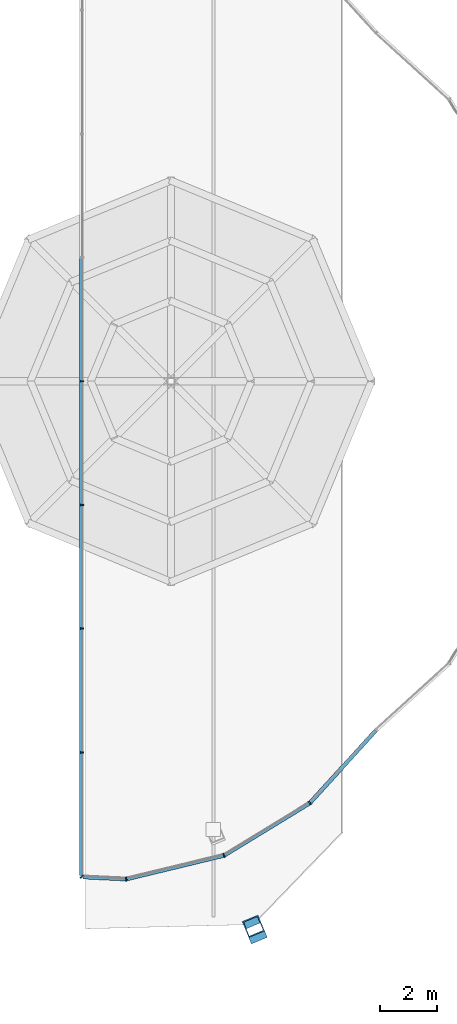
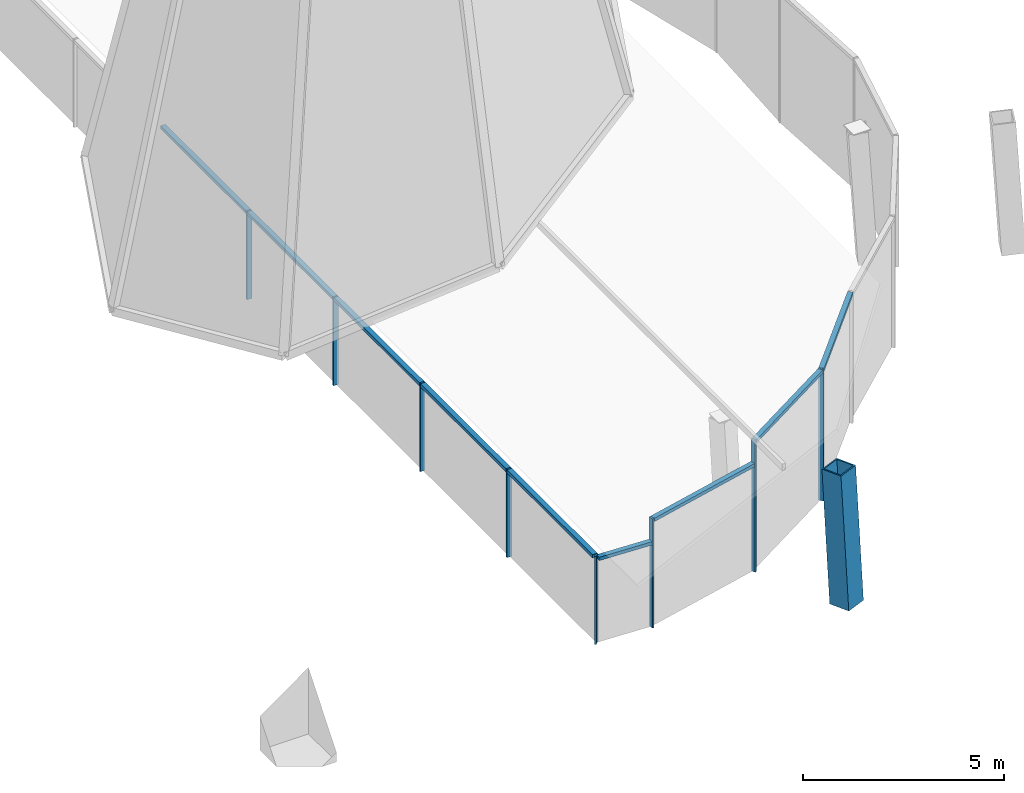
# One storey, part 2 of 16: 18 members, 2 elements without a shape of their own.
"""IFC4 building model written with IfcOpenShell, lengths in metres."""

from ifc_helpers import new_model, si_unit, direction, frame, origin, origin_2d, place, context, subcontext, project, spatial, rectangle, hollow_rectangle, extrude, material, material_profile, profile_set, type_object, element, aggregate, save


model = new_model("IFC4")

# Units and contexts
model_context = context("Model", 3, precision=1e-05, world=origin(), true_north=direction((0.0, 1.0)))
body_context = subcontext(model_context, "Body", "Model", "MODEL_VIEW")
ifc_project = project(units=[si_unit("LENGTHUNIT", "METRE"), si_unit("AREAUNIT", "SQUARE_METRE"), si_unit("VOLUMEUNIT", "CUBIC_METRE"), si_unit("PLANEANGLEUNIT", "RADIAN"), si_unit("MASSUNIT", "GRAM", prefix="KILO")], contexts=[model_context])

# Site, building, storey
site_placement = place(None, origin())
site = spatial("IfcSite", under=ifc_project, at=site_placement, CompositionType="ELEMENT")
building_placement = place(site_placement, origin())
building = spatial("IfcBuilding", under=site, at=building_placement, Name="Ogive Gate Towers", CompositionType="ELEMENT")
storey_placement = place(building_placement, frame((0.0, 0.0, 310.0)))
storey = spatial("IfcBuildingStorey", under=building, at=storey_placement, Name="L73", CompositionType="ELEMENT", Elevation=310.0)

# Curtain wall, member
ifc_material_1 = material(Name="Pale metal aluminium", Category="aluminium")
curtain_wall_type = type_object("IfcCurtainWallType", Name="Crown lean wall", PredefinedType="NOTDEFINED", material=ifc_material_1)
curtain_wall_1_placement = place(storey_placement, origin())
curtain_wall_1 = element("IfcCurtainWall", 1, at=curtain_wall_1_placement, inside=storey, type_object=curtain_wall_type, Name="CW5 T1 ECW02b", PredefinedType="NOTDEFINED")
ifc_material_profile_1 = material_profile(ifc_material_1, rectangle(XDim=0.139892578125, YDim=0.050048828125, at=origin_2d()), Name="50 x 140 aluminium box")
ifc_profile_set_1 = profile_set([ifc_material_profile_1], Name="Pale metal aluminium")
member_type_1 = type_object("IfcMemberType", Name="Crown lean wall mullion 50 x 140", PredefinedType="MULLION", material=ifc_profile_set_1)
member_1_placement = place(storey_placement, frame((-34.1181640625, 0.0, -0.300048828125), z_axis=(0.0, 0.0, 1.0), x_axis=(1.0, 0.0, 0.0)))
member_1 = element("IfcMember", 2, at=member_1_placement, type_object=member_type_1, Name="CW5 mullion", PredefinedType="MULLION", context=body_context, shape_type="SweptSolid", body=[
    extrude(rectangle(XDim=0.139892578125, YDim=0.050048828125, at=origin_2d()), origin(), (0.0, 0.0, 1.0), 2.679931640625),
])

# Curtain wall, members
curtain_wall_2_placement = place(storey_placement, origin())
curtain_wall_2 = element("IfcCurtainWall", 3, at=curtain_wall_2_placement, inside=storey, type_object=curtain_wall_type, Name="CW5 T1 ECW03", PredefinedType="NOTDEFINED")
member_2_placement = place(storey_placement, frame((-26.15234375, -14.714111328125, -0.300048828125), z_axis=(0.0, 0.0, 1.0), x_axis=(-0.63691282586, 0.770935828882, 0.0)))
member_2 = element("IfcMember", 4, at=member_2_placement, type_object=member_type_1, Name="CW5 mullion", PredefinedType="MULLION", context=body_context, shape_type="SweptSolid", body=[
    extrude(rectangle(XDim=0.139892578125, YDim=0.050048828125, at=origin_2d()), origin(), (0.0, 0.0, 1.0), 4.0),
])
member_3_placement = place(storey_placement, frame((-29.147705078125, -16.543212890625, -0.300048828125), z_axis=(0.0, 0.0, 1.0), x_axis=(-0.382683432365, 0.923879532511, 0.0)))
member_3 = element("IfcMember", 5, at=member_3_placement, type_object=member_type_1, Name="CW5 mullion", PredefinedType="MULLION", context=body_context, shape_type="SweptSolid", body=[
    extrude(rectangle(XDim=0.139892578125, YDim=0.050048828125, at=origin_2d()), origin(), (0.0, 0.0, 1.0), 4.0),
])
member_4_placement = place(storey_placement, frame((-32.558837890625, -17.367919921875, -0.300048828125), z_axis=(0.0, 0.0, 1.0), x_axis=(-0.094768574272, 0.995499330653, 0.0)))
member_4 = element("IfcMember", 6, at=member_4_placement, type_object=member_type_1, Name="CW5 mullion", PredefinedType="MULLION", context=body_context, shape_type="SweptSolid", body=[
    extrude(rectangle(XDim=0.139892578125, YDim=0.050048828125, at=origin_2d()), origin(), (0.0, 0.0, 1.0), 3.318359375),
])
member_5_placement = place(storey_placement, frame((-34.10986328125, -17.286376953125, -0.300048828125), z_axis=(0.0, 0.0, 1.0), x_axis=(0.723642058162, 0.6901754644, 0.0)))
member_5 = element("IfcMember", 7, at=member_5_placement, type_object=member_type_1, Name="CW5 mullion", PredefinedType="MULLION", context=body_context, shape_type="SweptSolid", body=[
    extrude(rectangle(XDim=0.139892578125, YDim=0.050048828125, at=origin_2d()), origin(), (0.0, 0.0, 1.0), 2.679931640625),
])
member_6_placement = place(storey_placement, frame((-34.1181640625, -12.94921875, -0.300048828125), z_axis=(0.0, 0.0, 1.0), x_axis=(1.0, 0.0, 0.0)))
member_6 = element("IfcMember", 8, at=member_6_placement, type_object=member_type_1, Name="CW5 mullion", PredefinedType="MULLION", context=body_context, shape_type="SweptSolid", body=[
    extrude(rectangle(XDim=0.139892578125, YDim=0.050048828125, at=origin_2d()), origin(), (0.0, 0.0, 1.0), 2.679931640625),
])
member_7_placement = place(storey_placement, frame((-34.1181640625, -8.6328125, -0.300048828125), z_axis=(0.0, 0.0, 1.0), x_axis=(1.0, 0.0, 0.0)))
member_7 = element("IfcMember", 9, at=member_7_placement, type_object=member_type_1, Name="CW5 mullion", PredefinedType="MULLION", context=body_context, shape_type="SweptSolid", body=[
    extrude(rectangle(XDim=0.139892578125, YDim=0.050048828125, at=origin_2d()), origin(), (0.0, 0.0, 1.0), 2.679931640625),
])
member_8_placement = place(storey_placement, frame((-34.1181640625, -4.31640625, -0.300048828125), z_axis=(0.0, 0.0, 1.0), x_axis=(1.0, 0.0, 0.0)))
member_8 = element("IfcMember", 10, at=member_8_placement, type_object=member_type_1, Name="CW5 mullion", PredefinedType="MULLION", context=body_context, shape_type="SweptSolid", body=[
    extrude(rectangle(XDim=0.139892578125, YDim=0.050048828125, at=origin_2d()), origin(), (0.0, 0.0, 1.0), 2.679931640625),
])

# Member
ifc_material_profile_2 = material_profile(ifc_material_1, rectangle(XDim=0.139892578125, YDim=0.10009765625, at=origin_2d()), Name="100 x 140 aluminium box")
ifc_profile_set_2 = profile_set([ifc_material_profile_2], Name="Pale metal aluminium")
member_type_2 = type_object("IfcMemberType", Name="Crown lean wall transom 100 x 140", PredefinedType="USERDEFINED", material=ifc_profile_set_2)
member_9_placement = place(storey_placement, frame((-34.1181640625, 0.02490234375, 2.330078125), z_axis=(0.0, 1.0, 0.0), x_axis=(-1.0, 0.0, 0.0)))
member_9 = element("IfcMember", 11, at=member_9_placement, type_object=member_type_2, Name="CW5 transom", ObjectType="TRANSOM", PredefinedType="USERDEFINED", context=body_context, shape_type="SweptSolid", body=[
    extrude(rectangle(XDim=0.139892578125, YDim=0.10009765625, at=origin_2d()), origin(), (0.0, 0.0, 1.0), 4.2666015625),
])

aggregate(curtain_wall_1, [member_1, member_9])

member_10_placement = place(storey_placement, frame((-23.85009765625, -12.183349609375, 3.64990234375), z_axis=(-0.672884128864, -0.739747895653, 0.0), x_axis=(0.739747895653, -0.672884128864, 0.0)))
member_10 = element("IfcMember", 12, at=member_10_placement, type_object=member_type_2, Name="CW5 transom", ObjectType="TRANSOM", PredefinedType="USERDEFINED", context=body_context, shape_type="SweptSolid", body=[
    extrude(rectangle(XDim=0.139892578125, YDim=0.10009765625, at=origin_2d()), origin(), (0.0, 0.0, 1.0), 3.39208984375),
])

member_11_placement = place(storey_placement, frame((-26.17724609375, -14.7294921875, 3.64990234375), z_axis=(-0.853414724934, -0.521232488691, 0.0), x_axis=(0.521232488691, -0.853414724934, 0.0)))
member_11 = element("IfcMember", 13, at=member_11_placement, type_object=member_type_2, Name="CW5 transom", ObjectType="TRANSOM", PredefinedType="USERDEFINED", context=body_context, shape_type="SweptSolid", body=[
    extrude(rectangle(XDim=0.139892578125, YDim=0.10009765625, at=origin_2d()), origin(), (0.0, 0.0, 1.0), 3.45068359375),
])

member_12_placement = place(storey_placement, frame((-29.176513671875, -16.550537109375, 2.96826171875), z_axis=(-0.972018732922, -0.234903347889, 0.0), x_axis=(0.234903347889, -0.972018732922, 0.0)))
member_12 = element("IfcMember", 14, at=member_12_placement, type_object=member_type_2, Name="CW5 transom", ObjectType="TRANSOM", PredefinedType="USERDEFINED", context=body_context, shape_type="SweptSolid", body=[
    extrude(rectangle(XDim=0.139892578125, YDim=0.10009765625, at=origin_2d()), origin(), (0.0, 0.0, 1.0), 3.450439453125),
])

member_13_placement = place(storey_placement, frame((-32.588134765625, -17.36669921875, 2.285400390625), z_axis=(-0.998875971008, 0.047400364365, 0.0), x_axis=(-0.047400364365, -0.998875971008, 0.0)))
member_13 = element("IfcMember", 15, at=member_13_placement, type_object=member_type_2, Name="CW5 transom", ObjectType="TRANSOM", PredefinedType="USERDEFINED", context=body_context, shape_type="SweptSolid", body=[
    extrude(rectangle(XDim=0.139892578125, YDim=0.10009765625, at=origin_2d()), origin(), (0.0, 0.0, 1.0), 1.478271484375),
])

member_14_placement = place(storey_placement, frame((-34.1181640625, -17.240478515625, 2.330078125), z_axis=(0.0, 1.0, 0.0), x_axis=(-1.0, 0.0, 0.0)))
member_14 = element("IfcMember", 16, at=member_14_placement, type_object=member_type_2, Name="CW5 transom", ObjectType="TRANSOM", PredefinedType="USERDEFINED", context=body_context, shape_type="SweptSolid", body=[
    extrude(rectangle(XDim=0.139892578125, YDim=0.10009765625, at=origin_2d()), origin(), (0.0, 0.0, 1.0), 4.266357421875),
])

member_15_placement = place(storey_placement, frame((-34.1181640625, -12.92431640625, 2.330078125), z_axis=(0.0, 1.0, 0.0), x_axis=(-1.0, 0.0, 0.0)))
member_15 = element("IfcMember", 17, at=member_15_placement, type_object=member_type_2, Name="CW5 transom", ObjectType="TRANSOM", PredefinedType="USERDEFINED", context=body_context, shape_type="SweptSolid", body=[
    extrude(rectangle(XDim=0.139892578125, YDim=0.10009765625, at=origin_2d()), origin(), (0.0, 0.0, 1.0), 4.2666015625),
])

member_16_placement = place(storey_placement, frame((-34.1181640625, -8.60791015625, 2.330078125), z_axis=(0.0, 1.0, 0.0), x_axis=(-1.0, 0.0, 0.0)))
member_16 = element("IfcMember", 18, at=member_16_placement, type_object=member_type_2, Name="CW5 transom", ObjectType="TRANSOM", PredefinedType="USERDEFINED", context=body_context, shape_type="SweptSolid", body=[
    extrude(rectangle(XDim=0.139892578125, YDim=0.10009765625, at=origin_2d()), origin(), (0.0, 0.0, 1.0), 4.2666015625),
])

member_17_placement = place(storey_placement, frame((-34.1181640625, -4.29150390625, 2.330078125), z_axis=(0.0, 1.0, 0.0), x_axis=(-1.0, 0.0, 0.0)))
member_17 = element("IfcMember", 19, at=member_17_placement, type_object=member_type_2, Name="CW5 transom", ObjectType="TRANSOM", PredefinedType="USERDEFINED", context=body_context, shape_type="SweptSolid", body=[
    extrude(rectangle(XDim=0.139892578125, YDim=0.10009765625, at=origin_2d()), origin(), (0.0, 0.0, 1.0), 4.2666015625),
])

aggregate(curtain_wall_2, [member_2, member_10, member_3, member_11, member_4, member_12, member_5, member_13, member_6, member_14, member_7, member_15, member_8, member_16, member_17])

ifc_material_2 = material(Name="Steel SM460", Category="steel")
ifc_material_profile_3 = material_profile(ifc_material_2, hollow_rectangle(XDim=0.60009765625, YDim=0.60009765625, WallThickness=0.0400390625, at=origin_2d()), Name="BX 600x600x40")
ifc_profile_set_3 = profile_set([ifc_material_profile_3], Name="Steel SM460")
member_type_3 = type_object("IfcMemberType", Name="Crown rib BX 600x600x40", PredefinedType="MEMBER", material=ifc_profile_set_3)
member_18_placement = place(storey_placement, frame((-28.030029296875, -19.2412109375, 0.0), z_axis=(-0.02339375174, 0.056413057581, 0.998133407573), x_axis=(-0.923724896159, -0.383056544411, 0.0)))
element("IfcMember", 20, at=member_18_placement, inside=storey, type_object=member_type_3, Name="T1/L73/STR003", PredefinedType="MEMBER", context=body_context, shape_type="SweptSolid", body=[
    extrude(hollow_rectangle(XDim=0.60009765625, YDim=0.60009765625, WallThickness=0.0400390625, at=origin_2d()), origin(), (0.0, 0.0, 1.0), 4.007568359375),
])

save(model, "model.ifc")
